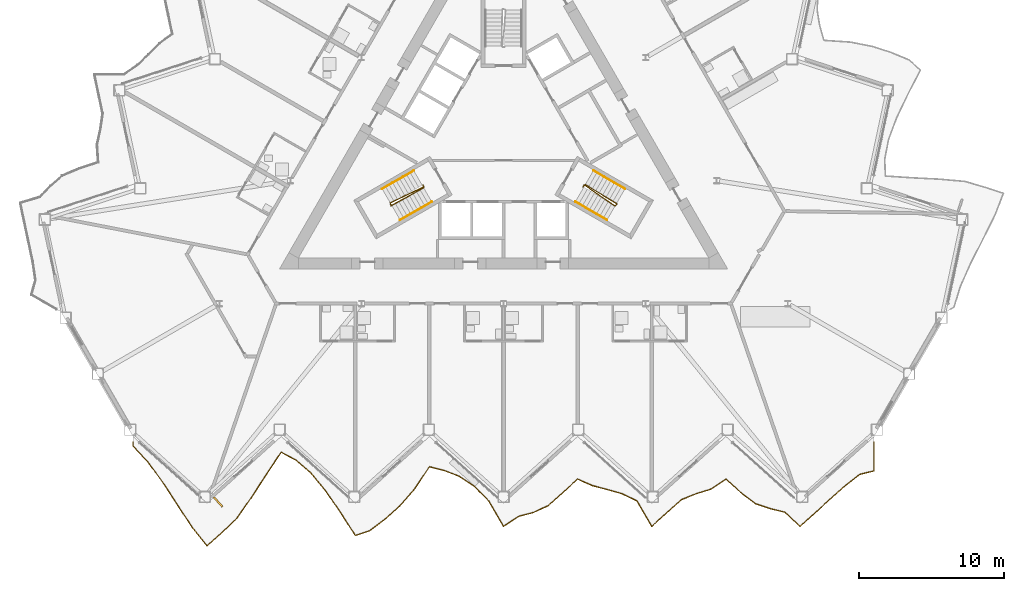
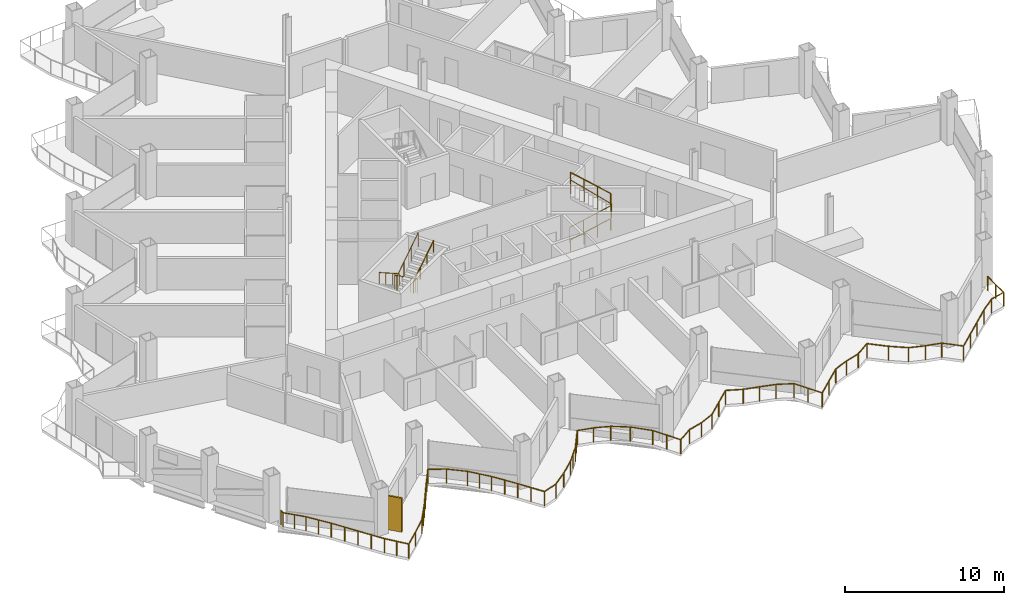
# One storey, part 19 of 23: 7 railings, 1 shading device.
"""IFC4 building model written with IfcOpenShell, lengths in metres."""

from ifc_helpers import new_model, si_unit, direction, frame, origin, origin_2d, place, context, subcontext, project, spatial, rectangle, circle, extrude, material, layer, layer_set, type_object, element, save


model = new_model("IFC4")

# Units and contexts
model_context = context("Model", 3, precision=1e-05, world=origin(), true_north=direction((0.0, 1.0)))
body_context = subcontext(model_context, "Body", "Model", "MODEL_VIEW")
ifc_project = project(units=[si_unit("LENGTHUNIT", "METRE"), si_unit("AREAUNIT", "SQUARE_METRE"), si_unit("VOLUMEUNIT", "CUBIC_METRE"), si_unit("PLANEANGLEUNIT", "RADIAN"), si_unit("MASSUNIT", "GRAM", prefix="KILO")], contexts=[model_context])

# Site, building, storey
site_placement = place(None, origin())
site = spatial("IfcSite", under=ifc_project, at=site_placement, CompositionType="ELEMENT")
building_placement = place(site_placement, origin())
building = spatial("IfcBuilding", under=site, at=building_placement, Name="Cormorant Prow Tower", CompositionType="ELEMENT")
storey_placement = place(building_placement, frame((0.0, 0.0, 180.0)))
storey = spatial("IfcBuildingStorey", under=building, at=storey_placement, Name="L38", CompositionType="ELEMENT", Elevation=180.0)

# Railings
ifc_material_1 = material(Name="Aluminium 6063-T6", Category="aluminium")
railing_type_1 = type_object("IfcRailingType", Name="Balcony guard 1100", PredefinedType="GUARDRAIL", material=ifc_material_1)
railing_1_placement = place(storey_placement, frame((-25.635498046875, -20.921630859375, 0.0)))
element("IfcRailing", 1, at=railing_1_placement, inside=storey, type_object=railing_type_1, Name="Balcony guard S", PredefinedType="GUARDRAIL", context=body_context, shape_type="SweptSolid", body=[
    extrude(circle(Radius=0.02392578125, at=origin_2d()), frame((0.0, 0.0, 1.076171875), z_axis=(0.0, -1.0, 0.0), x_axis=(1.0, 0.0, 0.0)), (0.0, 0.0, 1.0), 0.27001953125),
    extrude(circle(Radius=0.02392578125, at=origin_2d()), frame((0.0, -0.27001953125, 1.076171875), z_axis=(0.681103942477, -0.732186738163, 0.0), x_axis=(0.732186738163, 0.681103942477, 0.0)), (0.0, 0.0, 1.0), 1.50537109375),
    extrude(circle(Radius=0.02392578125, at=origin_2d()), frame((1.025390625, -1.372314453125, 1.076171875), z_axis=(0.588371589744, -0.808590670477, 0.0), x_axis=(0.808590670477, 0.588371589744, 0.0)), (0.0, 0.0, 1.0), 1.74267578125),
    extrude(circle(Radius=0.02392578125, at=origin_2d()), frame((2.05078125, -2.781494140625, 1.076171875), z_axis=(0.545138894856, -0.838345743304, 0.0), x_axis=(0.838345743304, 0.545138894856, 0.0)), (0.0, 0.0, 1.0), 1.880859375),
    extrude(circle(Radius=0.02392578125, at=origin_2d()), frame((3.076171875, -4.3583984375, 1.076171875), z_axis=(0.549977203076, -0.835179666956, 0.0), x_axis=(0.835179666956, 0.549977203076, 0.0)), (0.0, 0.0, 1.0), 1.864501953125),
    extrude(circle(Radius=0.02392578125, at=origin_2d()), frame((4.1015625, -5.91552734375, 1.076171875), z_axis=(0.627898546351, -0.778295198167, 0.0), x_axis=(0.778295198167, 0.627898546351, 0.0)), (0.0, 0.0, 1.0), 1.633056640625),
    extrude(circle(Radius=0.02392578125, at=origin_2d()), frame((5.126953125, -7.1865234375, 1.076171875), z_axis=(0.743197375743, 0.669072238767, 0.0), x_axis=(-0.669072238767, 0.743197375743, 0.0)), (0.0, 0.0, 1.0), 1.380126953125),
    extrude(circle(Radius=0.02392578125, at=origin_2d()), frame((6.152587890625, -6.26318359375, 1.076171875), z_axis=(0.723191339714, 0.690647729427, 0.0), x_axis=(-0.690647729427, 0.723191339714, 0.0)), (0.0, 0.0, 1.0), 1.41796875),
    extrude(circle(Radius=0.02392578125, at=origin_2d()), frame((7.177978515625, -5.283935546875, 1.076171875), z_axis=(0.575649567976, 0.817696505367, 0.0), x_axis=(-0.817696505367, 0.575649567976, 0.0)), (0.0, 0.0, 1.0), 1.78125),
    extrude(circle(Radius=0.02392578125, at=origin_2d()), frame((8.203369140625, -3.827392578125, 1.076171875), z_axis=(0.542303318484, 0.840182784137, 0.0), x_axis=(-0.840182784137, 0.542303318484, 0.0)), (0.0, 0.0, 1.0), 1.890869140625),
    extrude(circle(Radius=0.02392578125, at=origin_2d()), frame((9.228759765625, -2.23876953125, 1.076171875), z_axis=(0.556778734736, 0.83066084568, 0.0), x_axis=(-0.83066084568, 0.556778734736, 0.0)), (0.0, 0.0, 1.0), 1.841552734375),
    extrude(circle(Radius=0.02392578125, at=origin_2d()), frame((10.254150390625, -0.708984375, 1.076171875), z_axis=(0.881654667777, -0.471895165039, 0.0), x_axis=(0.471895165039, 0.881654667777, 0.0)), (0.0, 0.0, 1.0), 1.1630859375),
    extrude(circle(Radius=0.02392578125, at=origin_2d()), frame((11.279541015625, -1.2578125, 1.076171875), z_axis=(0.75568908279, -0.654930538418, 0.0), x_axis=(0.654930538418, 0.75568908279, 0.0)), (0.0, 0.0, 1.0), 1.35693359375),
    extrude(circle(Radius=0.02392578125, at=origin_2d()), frame((12.304931640625, -2.146484375, 1.076171875), z_axis=(0.637791451053, -0.7702091047, 0.0), x_axis=(0.7702091047, 0.637791451053, 0.0)), (0.0, 0.0, 1.0), 1.607666015625),
    extrude(circle(Radius=0.02392578125, at=origin_2d()), frame((13.330322265625, -3.384765625, 1.076171875), z_axis=(0.565055142768, -0.825053141095, 0.0), x_axis=(0.825053141095, 0.565055142768, 0.0)), (0.0, 0.0, 1.0), 1.815185546875),
    extrude(circle(Radius=0.02392578125, at=origin_2d()), frame((14.35595703125, -4.88232421875, 1.076171875), z_axis=(0.541421983834, -0.840750994897, 0.0), x_axis=(0.840750994897, 0.541421983834, 0.0)), (0.0, 0.0, 1.0), 1.893798828125),
    extrude(circle(Radius=0.02392578125, at=origin_2d()), frame((15.38134765625, -6.474609375, 1.076171875), z_axis=(0.946084075397, 0.323921166767, 0.0), x_axis=(-0.323921166767, 0.946084075397, 0.0)), (0.0, 0.0, 1.0), 1.083740234375),
    extrude(circle(Radius=0.02392578125, at=origin_2d()), frame((16.40673828125, -6.12353515625, 1.076171875), z_axis=(0.794610159297, 0.607120000282, 0.0), x_axis=(-0.607120000282, 0.794610159297, 0.0)), (0.0, 0.0, 1.0), 1.29052734375),
    extrude(circle(Radius=0.02392578125, at=origin_2d()), frame((17.43212890625, -5.340087890625, 1.076171875), z_axis=(0.743118165169, 0.669160214445, 0.0), x_axis=(-0.669160214445, 0.743118165169, 0.0)), (0.0, 0.0, 1.0), 1.3798828125),
    extrude(circle(Radius=0.02392578125, at=origin_2d()), frame((18.45751953125, -4.416748046875, 1.076171875), z_axis=(0.659749250302, 0.751485812725, 0.0), x_axis=(-0.751485812725, 0.659749250302, 0.0)), (0.0, 0.0, 1.0), 1.55419921875),
    extrude(circle(Radius=0.02392578125, at=origin_2d()), frame((19.48291015625, -3.248779296875, 1.076171875), z_axis=(0.556288580138, 0.830989178996, 0.0), x_axis=(-0.830989178996, 0.556288580138, 0.0)), (0.0, 0.0, 1.0), 1.84326171875),
    extrude(circle(Radius=0.02392578125, at=origin_2d()), frame((20.50830078125, -1.717041015625, 1.076171875), z_axis=(0.969651629127, -0.244490732201, 0.0), x_axis=(0.244490732201, 0.969651629127, 0.0)), (0.0, 0.0, 1.0), 1.057373046875),
    extrude(circle(Radius=0.02392578125, at=origin_2d()), frame((21.53369140625, -1.9755859375, 1.076171875), z_axis=(0.933894668964, -0.357548244689, 0.0), x_axis=(0.357548244689, 0.933894668964, 0.0)), (0.0, 0.0, 1.0), 1.097900390625),
    extrude(circle(Radius=0.02392578125, at=origin_2d()), frame((22.55908203125, -2.3681640625, 1.076171875), z_axis=(0.834030278815, -0.551718672894, 0.0), x_axis=(0.551718672894, 0.834030278815, 0.0)), (0.0, 0.0, 1.0), 1.229736328125),
    extrude(circle(Radius=0.02392578125, at=origin_2d()), frame((23.584716796875, -3.046630859375, 1.076171875), z_axis=(0.703915232467, -0.710283989332, 0.0), x_axis=(0.710283989332, 0.703915232467, 0.0)), (0.0, 0.0, 1.0), 1.456787109375),
    extrude(circle(Radius=0.02392578125, at=origin_2d()), frame((24.610107421875, -4.081298828125, 1.076171875), z_axis=(0.504445929964, -0.863443283455, 0.0), x_axis=(0.863443283455, 0.504445929964, 0.0)), (0.0, 0.0, 1.0), 2.03271484375),
    extrude(circle(Radius=0.02392578125, at=origin_2d()), frame((25.635498046875, -5.83642578125, 1.076171875), z_axis=(0.831867421138, 0.554974408102, 0.0), x_axis=(-0.554974408102, 0.831867421138, 0.0)), (0.0, 0.0, 1.0), 1.232666015625),
    extrude(circle(Radius=0.02392578125, at=origin_2d()), frame((26.660888671875, -5.15234375, 1.076171875), z_axis=(0.966862485254, 0.255297737178, 0.0), x_axis=(-0.255297737178, 0.966862485254, 0.0)), (0.0, 0.0, 1.0), 1.060546875),
    extrude(circle(Radius=0.02392578125, at=origin_2d()), frame((27.686279296875, -4.881591796875, 1.076171875), z_axis=(0.910818857166, 0.412806261377, 0.0), x_axis=(-0.412806261377, 0.910818857166, 0.0)), (0.0, 0.0, 1.0), 1.1259765625),
    extrude(circle(Radius=0.02392578125, at=origin_2d()), frame((28.7119140625, -4.416748046875, 1.076171875), z_axis=(0.743118165169, 0.669160214445, 0.0), x_axis=(-0.669160214445, 0.743118165169, 0.0)), (0.0, 0.0, 1.0), 1.3798828125),
    extrude(circle(Radius=0.02392578125, at=origin_2d()), frame((29.7373046875, -3.493408203125, 1.076171875), z_axis=(0.743118165169, 0.669160214445, 0.0), x_axis=(-0.669160214445, 0.743118165169, 0.0)), (0.0, 0.0, 1.0), 1.3798828125),
    extrude(circle(Radius=0.02392578125, at=origin_2d()), frame((30.7626953125, -2.570068359375, 1.076171875), z_axis=(0.915154313981, -0.40310368592, 0.0), x_axis=(0.40310368592, 0.915154313981, 0.0)), (0.0, 0.0, 1.0), 1.120361328125),
    extrude(circle(Radius=0.02392578125, at=origin_2d()), frame((31.7880859375, -3.021728515625, 1.076171875), z_axis=(0.96725923768, -0.253790399982, 0.0), x_axis=(0.253790399982, 0.96725923768, 0.0)), (0.0, 0.0, 1.0), 1.06005859375),
    extrude(circle(Radius=0.02392578125, at=origin_2d()), frame((32.8134765625, -3.290771484375, 1.076171875), z_axis=(0.962126726315, -0.272602572456, 0.0), x_axis=(0.272602572456, 0.962126726315, 0.0)), (0.0, 0.0, 1.0), 1.065673828125),
    extrude(circle(Radius=0.02392578125, at=origin_2d()), frame((33.8388671875, -3.581298828125, 1.076171875), z_axis=(0.901020302819, -0.433776917214, 0.0), x_axis=(0.433776917214, 0.901020302819, 0.0)), (0.0, 0.0, 1.0), 1.137939453125),
    extrude(circle(Radius=0.02392578125, at=origin_2d()), frame((34.8642578125, -4.074951171875, 1.076171875), z_axis=(0.503088815692, -0.864234715529, 0.0), x_axis=(0.864234715529, 0.503088815692, 0.0)), (0.0, 0.0, 1.0), 2.0380859375),
    extrude(circle(Radius=0.02392578125, at=origin_2d()), frame((35.8896484375, -5.83642578125, 1.076171875), z_axis=(0.743206151718, 0.669062490392, 0.0), x_axis=(-0.669062490392, 0.743206151718, 0.0)), (0.0, 0.0, 1.0), 1.379638671875),
    extrude(circle(Radius=0.02392578125, at=origin_2d()), frame((36.9150390625, -4.913330078125, 1.076171875), z_axis=(0.743197375743, 0.669072238767, 0.0), x_axis=(-0.669072238767, 0.743197375743, 0.0)), (0.0, 0.0, 1.0), 1.380126953125),
    extrude(circle(Radius=0.02392578125, at=origin_2d()), frame((37.940673828125, -3.989990234375, 1.076171875), z_axis=(0.928095210869, 0.372342959599, 0.0), x_axis=(-0.372342959599, 0.928095210869, 0.0)), (0.0, 0.0, 1.0), 1.104736328125),
    extrude(circle(Radius=0.02392578125, at=origin_2d()), frame((38.966064453125, -3.57861328125, 1.076171875), z_axis=(0.955028616031, 0.296513646501, 0.0), x_axis=(-0.296513646501, 0.955028616031, 0.0)), (0.0, 0.0, 1.0), 1.07373046875),
    extrude(circle(Radius=0.02392578125, at=origin_2d()), frame((39.991455078125, -3.26025390625, 1.076171875), z_axis=(0.829580709455, 0.55838682515, 0.0), x_axis=(-0.55838682515, 0.829580709455, 0.0)), (0.0, 0.0, 1.0), 1.236083984375),
    extrude(circle(Radius=0.02392578125, at=origin_2d()), frame((41.016845703125, -2.570068359375, 1.076171875), z_axis=(0.743118165169, -0.669160214445, 0.0), x_axis=(0.669160214445, 0.743118165169, 0.0)), (0.0, 0.0, 1.0), 1.3798828125),
    extrude(circle(Radius=0.02392578125, at=origin_2d()), frame((42.042236328125, -3.493408203125, 1.076171875), z_axis=(0.798446059556, -0.602066350147, 0.0), x_axis=(0.602066350147, 0.798446059556, 0.0)), (0.0, 0.0, 1.0), 1.2841796875),
    extrude(circle(Radius=0.02392578125, at=origin_2d()), frame((43.067626953125, -4.2666015625, 1.076171875), z_axis=(0.947252842265, -0.320487211633, 0.0), x_axis=(0.320487211633, 0.947252842265, 0.0)), (0.0, 0.0, 1.0), 1.08251953125),
    extrude(circle(Radius=0.02392578125, at=origin_2d()), frame((44.093017578125, -4.613525390625, 1.076171875), z_axis=(0.970629918365, -0.240577558337, 0.0), x_axis=(0.240577558337, 0.970629918365, 0.0)), (0.0, 0.0, 1.0), 1.056396484375),
    extrude(circle(Radius=0.02392578125, at=origin_2d()), frame((45.118408203125, -4.86767578125, 1.076171875), z_axis=(0.726979558122, -0.686659101792, 0.0), x_axis=(0.686659101792, 0.726979558122, 0.0)), (0.0, 0.0, 1.0), 1.410888671875),
    extrude(circle(Radius=0.02392578125, at=origin_2d()), frame((46.14404296875, -5.83642578125, 1.076171875), z_axis=(0.743206151718, 0.669062490392, 0.0), x_axis=(-0.669062490392, 0.743206151718, 0.0)), (0.0, 0.0, 1.0), 1.379638671875),
    extrude(circle(Radius=0.02392578125, at=origin_2d()), frame((47.16943359375, -4.913330078125, 1.076171875), z_axis=(0.743118165169, 0.669160214445, 0.0), x_axis=(-0.669160214445, 0.743118165169, 0.0)), (0.0, 0.0, 1.0), 1.3798828125),
    extrude(circle(Radius=0.02392578125, at=origin_2d()), frame((48.19482421875, -3.989990234375, 1.076171875), z_axis=(0.743118165169, 0.669160214445, 0.0), x_axis=(-0.669160214445, 0.743118165169, 0.0)), (0.0, 0.0, 1.0), 1.3798828125),
    extrude(circle(Radius=0.02392578125, at=origin_2d()), frame((49.22021484375, -3.066650390625, 1.076171875), z_axis=(0.78359163576, 0.621276225496, 0.0), x_axis=(-0.621276225496, 0.78359163576, 0.0)), (0.0, 0.0, 1.0), 1.30859375),
    extrude(circle(Radius=0.02392578125, at=origin_2d()), frame((50.24560546875, -2.253662109375, 1.076171875), z_axis=(0.969596875513, 0.244707782868, 0.0), x_axis=(-0.244707782868, 0.969596875513, 0.0)), (0.0, 0.0, 1.0), 1.0576171875),
    extrude(circle(Radius=0.02392578125, at=origin_2d()), frame((51.27099609375, -1.994873046875, 1.076171875), z_axis=(0.0, 1.0, 0.0), x_axis=(-1.0, 0.0, 0.0)), (0.0, 0.0, 1.0), 1.994873046875),
    extrude(circle(Radius=0.02099609375, at=origin_2d()), origin(), (0.0, 0.0, 1.0), 1.052001953125),
    extrude(circle(Radius=0.02099609375, at=origin_2d()), frame((0.0, -0.27001953125, 0.0)), (0.0, 0.0, 1.0), 1.052001953125),
    extrude(circle(Radius=0.02099609375, at=origin_2d()), frame((0.5126953125, -0.8212890625, 0.0)), (0.0, 0.0, 1.0), 1.052001953125),
    extrude(circle(Radius=0.02099609375, at=origin_2d()), frame((1.025390625, -1.372314453125, 0.0)), (0.0, 0.0, 1.0), 1.052001953125),
    extrude(circle(Radius=0.02099609375, at=origin_2d()), frame((1.5380859375, -2.076904296875, 0.0)), (0.0, 0.0, 1.0), 1.052001953125),
    extrude(circle(Radius=0.02099609375, at=origin_2d()), frame((2.05078125, -2.781494140625, 0.0)), (0.0, 0.0, 1.0), 1.052001953125),
    extrude(circle(Radius=0.02099609375, at=origin_2d()), frame((2.5634765625, -3.56982421875, 0.0)), (0.0, 0.0, 1.0), 1.052001953125),
    extrude(circle(Radius=0.02099609375, at=origin_2d()), frame((3.076171875, -4.3583984375, 0.0)), (0.0, 0.0, 1.0), 1.052001953125),
    extrude(circle(Radius=0.02099609375, at=origin_2d()), frame((3.5888671875, -5.136962890625, 0.0)), (0.0, 0.0, 1.0), 1.052001953125),
    extrude(circle(Radius=0.02099609375, at=origin_2d()), frame((4.1015625, -5.91552734375, 0.0)), (0.0, 0.0, 1.0), 1.052001953125),
    extrude(circle(Radius=0.02099609375, at=origin_2d()), frame((4.6142578125, -6.551025390625, 0.0)), (0.0, 0.0, 1.0), 1.052001953125),
    extrude(circle(Radius=0.02099609375, at=origin_2d()), frame((5.126953125, -7.1865234375, 0.0)), (0.0, 0.0, 1.0), 1.052001953125),
    extrude(circle(Radius=0.02099609375, at=origin_2d()), frame((6.152587890625, -6.26318359375, 0.0)), (0.0, 0.0, 1.0), 1.052001953125),
    extrude(circle(Radius=0.02099609375, at=origin_2d()), frame((7.177978515625, -5.283935546875, 0.0)), (0.0, 0.0, 1.0), 1.052001953125),
    extrude(circle(Radius=0.02099609375, at=origin_2d()), frame((7.690673828125, -4.5556640625, 0.0)), (0.0, 0.0, 1.0), 1.052001953125),
    extrude(circle(Radius=0.02099609375, at=origin_2d()), frame((8.203369140625, -3.827392578125, 0.0)), (0.0, 0.0, 1.0), 1.052001953125),
    extrude(circle(Radius=0.02099609375, at=origin_2d()), frame((8.716064453125, -3.033203125, 0.0)), (0.0, 0.0, 1.0), 1.052001953125),
    extrude(circle(Radius=0.02099609375, at=origin_2d()), frame((9.228759765625, -2.23876953125, 0.0)), (0.0, 0.0, 1.0), 1.052001953125),
    extrude(circle(Radius=0.02099609375, at=origin_2d()), frame((9.741455078125, -1.473876953125, 0.0)), (0.0, 0.0, 1.0), 1.052001953125),
    extrude(circle(Radius=0.02099609375, at=origin_2d()), frame((10.254150390625, -0.708984375, 0.0)), (0.0, 0.0, 1.0), 1.052001953125),
    extrude(circle(Radius=0.02099609375, at=origin_2d()), frame((11.279541015625, -1.2578125, 0.0)), (0.0, 0.0, 1.0), 1.052001953125),
    extrude(circle(Radius=0.02099609375, at=origin_2d()), frame((12.304931640625, -2.146484375, 0.0)), (0.0, 0.0, 1.0), 1.052001953125),
    extrude(circle(Radius=0.02099609375, at=origin_2d()), frame((12.817626953125, -2.765625, 0.0)), (0.0, 0.0, 1.0), 1.052001953125),
    extrude(circle(Radius=0.02099609375, at=origin_2d()), frame((13.330322265625, -3.384765625, 0.0)), (0.0, 0.0, 1.0), 1.052001953125),
    extrude(circle(Radius=0.02099609375, at=origin_2d()), frame((13.84326171875, -4.133544921875, 0.0)), (0.0, 0.0, 1.0), 1.052001953125),
    extrude(circle(Radius=0.02099609375, at=origin_2d()), frame((14.35595703125, -4.88232421875, 0.0)), (0.0, 0.0, 1.0), 1.052001953125),
    extrude(circle(Radius=0.02099609375, at=origin_2d()), frame((14.86865234375, -5.678466796875, 0.0)), (0.0, 0.0, 1.0), 1.052001953125),
    extrude(circle(Radius=0.02099609375, at=origin_2d()), frame((15.38134765625, -6.474609375, 0.0)), (0.0, 0.0, 1.0), 1.052001953125),
    extrude(circle(Radius=0.02099609375, at=origin_2d()), frame((16.40673828125, -6.12353515625, 0.0)), (0.0, 0.0, 1.0), 1.052001953125),
    extrude(circle(Radius=0.02099609375, at=origin_2d()), frame((17.43212890625, -5.340087890625, 0.0)), (0.0, 0.0, 1.0), 1.052001953125),
    extrude(circle(Radius=0.02099609375, at=origin_2d()), frame((18.45751953125, -4.416748046875, 0.0)), (0.0, 0.0, 1.0), 1.052001953125),
    extrude(circle(Radius=0.02099609375, at=origin_2d()), frame((18.97021484375, -3.832763671875, 0.0)), (0.0, 0.0, 1.0), 1.052001953125),
    extrude(circle(Radius=0.02099609375, at=origin_2d()), frame((19.48291015625, -3.248779296875, 0.0)), (0.0, 0.0, 1.0), 1.052001953125),
    extrude(circle(Radius=0.02099609375, at=origin_2d()), frame((19.99560546875, -2.48291015625, 0.0)), (0.0, 0.0, 1.0), 1.052001953125),
    extrude(circle(Radius=0.02099609375, at=origin_2d()), frame((20.50830078125, -1.717041015625, 0.0)), (0.0, 0.0, 1.0), 1.052001953125),
    extrude(circle(Radius=0.02099609375, at=origin_2d()), frame((21.53369140625, -1.9755859375, 0.0)), (0.0, 0.0, 1.0), 1.052001953125),
    extrude(circle(Radius=0.02099609375, at=origin_2d()), frame((22.55908203125, -2.3681640625, 0.0)), (0.0, 0.0, 1.0), 1.052001953125),
    extrude(circle(Radius=0.02099609375, at=origin_2d()), frame((23.584716796875, -3.046630859375, 0.0)), (0.0, 0.0, 1.0), 1.052001953125),
    extrude(circle(Radius=0.02099609375, at=origin_2d()), frame((24.610107421875, -4.081298828125, 0.0)), (0.0, 0.0, 1.0), 1.052001953125),
    extrude(circle(Radius=0.02099609375, at=origin_2d()), frame((25.122802734375, -4.958984375, 0.0)), (0.0, 0.0, 1.0), 1.052001953125),
    extrude(circle(Radius=0.02099609375, at=origin_2d()), frame((25.635498046875, -5.83642578125, 0.0)), (0.0, 0.0, 1.0), 1.052001953125),
    extrude(circle(Radius=0.02099609375, at=origin_2d()), frame((26.660888671875, -5.15234375, 0.0)), (0.0, 0.0, 1.0), 1.052001953125),
    extrude(circle(Radius=0.02099609375, at=origin_2d()), frame((27.686279296875, -4.881591796875, 0.0)), (0.0, 0.0, 1.0), 1.052001953125),
    extrude(circle(Radius=0.02099609375, at=origin_2d()), frame((28.7119140625, -4.416748046875, 0.0)), (0.0, 0.0, 1.0), 1.052001953125),
    extrude(circle(Radius=0.02099609375, at=origin_2d()), frame((29.7373046875, -3.493408203125, 0.0)), (0.0, 0.0, 1.0), 1.052001953125),
    extrude(circle(Radius=0.02099609375, at=origin_2d()), frame((30.7626953125, -2.570068359375, 0.0)), (0.0, 0.0, 1.0), 1.052001953125),
    extrude(circle(Radius=0.02099609375, at=origin_2d()), frame((31.7880859375, -3.021728515625, 0.0)), (0.0, 0.0, 1.0), 1.052001953125),
    extrude(circle(Radius=0.02099609375, at=origin_2d()), frame((32.8134765625, -3.290771484375, 0.0)), (0.0, 0.0, 1.0), 1.052001953125),
    extrude(circle(Radius=0.02099609375, at=origin_2d()), frame((33.8388671875, -3.581298828125, 0.0)), (0.0, 0.0, 1.0), 1.052001953125),
    extrude(circle(Radius=0.02099609375, at=origin_2d()), frame((34.8642578125, -4.074951171875, 0.0)), (0.0, 0.0, 1.0), 1.052001953125),
    extrude(circle(Radius=0.02099609375, at=origin_2d()), frame((35.376953125, -4.95556640625, 0.0)), (0.0, 0.0, 1.0), 1.052001953125),
    extrude(circle(Radius=0.02099609375, at=origin_2d()), frame((35.8896484375, -5.83642578125, 0.0)), (0.0, 0.0, 1.0), 1.052001953125),
    extrude(circle(Radius=0.02099609375, at=origin_2d()), frame((36.9150390625, -4.913330078125, 0.0)), (0.0, 0.0, 1.0), 1.052001953125),
    extrude(circle(Radius=0.02099609375, at=origin_2d()), frame((37.940673828125, -3.989990234375, 0.0)), (0.0, 0.0, 1.0), 1.052001953125),
    extrude(circle(Radius=0.02099609375, at=origin_2d()), frame((38.966064453125, -3.57861328125, 0.0)), (0.0, 0.0, 1.0), 1.052001953125),
    extrude(circle(Radius=0.02099609375, at=origin_2d()), frame((39.991455078125, -3.26025390625, 0.0)), (0.0, 0.0, 1.0), 1.052001953125),
    extrude(circle(Radius=0.02099609375, at=origin_2d()), frame((41.016845703125, -2.570068359375, 0.0)), (0.0, 0.0, 1.0), 1.052001953125),
    extrude(circle(Radius=0.02099609375, at=origin_2d()), frame((42.042236328125, -3.493408203125, 0.0)), (0.0, 0.0, 1.0), 1.052001953125),
    extrude(circle(Radius=0.02099609375, at=origin_2d()), frame((43.067626953125, -4.2666015625, 0.0)), (0.0, 0.0, 1.0), 1.052001953125),
    extrude(circle(Radius=0.02099609375, at=origin_2d()), frame((44.093017578125, -4.613525390625, 0.0)), (0.0, 0.0, 1.0), 1.052001953125),
    extrude(circle(Radius=0.02099609375, at=origin_2d()), frame((45.118408203125, -4.86767578125, 0.0)), (0.0, 0.0, 1.0), 1.052001953125),
    extrude(circle(Radius=0.02099609375, at=origin_2d()), frame((46.14404296875, -5.83642578125, 0.0)), (0.0, 0.0, 1.0), 1.052001953125),
    extrude(circle(Radius=0.02099609375, at=origin_2d()), frame((47.16943359375, -4.913330078125, 0.0)), (0.0, 0.0, 1.0), 1.052001953125),
    extrude(circle(Radius=0.02099609375, at=origin_2d()), frame((48.19482421875, -3.989990234375, 0.0)), (0.0, 0.0, 1.0), 1.052001953125),
    extrude(circle(Radius=0.02099609375, at=origin_2d()), frame((49.22021484375, -3.066650390625, 0.0)), (0.0, 0.0, 1.0), 1.052001953125),
    extrude(circle(Radius=0.02099609375, at=origin_2d()), frame((50.24560546875, -2.253662109375, 0.0)), (0.0, 0.0, 1.0), 1.052001953125),
    extrude(circle(Radius=0.02099609375, at=origin_2d()), frame((51.27099609375, -1.994873046875, 0.0)), (0.0, 0.0, 1.0), 1.052001953125),
    extrude(circle(Radius=0.02099609375, at=origin_2d()), frame((51.27099609375, -0.99755859375, 0.0)), (0.0, 0.0, 1.0), 1.052001953125),
    extrude(circle(Radius=0.02099609375, at=origin_2d()), frame((51.27099609375, 0.0, 0.0)), (0.0, 0.0, 1.0), 1.052001953125),
])
ifc_material_2 = material(Name="Stainless steel", Category="steel")
railing_type_2 = type_object("IfcRailingType", Name="Stair guard 1100", PredefinedType="GUARDRAIL", material=ifc_material_2)
railing_2_placement = place(storey_placement, frame((-5.585205078125, -3.137939453125, 0.0)))
element("IfcRailing", 2, at=railing_2_placement, inside=storey, type_object=railing_type_2, Name="L38 ST1 stair guard 1", PredefinedType="GUARDRAIL", context=body_context, shape_type="SweptSolid", body=[
    extrude(circle(Radius=0.02392578125, at=origin_2d()), frame((0.0, 0.0, 1.076171875), z_axis=(0.501036270542, -0.865426285481, 0.0), x_axis=(0.865426285481, 0.501036270542, 0.0)), (0.0, 0.0, 1.0), 0.150146484375),
    extrude(circle(Radius=0.02392578125, at=origin_2d()), frame((0.0751953125, -0.1298828125, 1.076171875), z_axis=(-0.739707038506, -0.353624380995, 0.572523619033), x_axis=(0.431308035802, -0.902204731895, 0.0)), (0.0, 0.0, 1.0), 3.14404296875),
    extrude(circle(Radius=0.02392578125, at=origin_2d()), frame((-2.25048828125, -1.24169921875, 2.8759765625), z_axis=(0.274721127897, -0.961523947641, 0.0), x_axis=(0.961523947641, 0.274721127897, 0.0)), (0.0, 0.0, 1.0), 0.2060546875),
    extrude(circle(Radius=0.02392578125, at=origin_2d()), frame((-2.19384765625, -1.43994140625, 2.8759765625), z_axis=(0.717223475266, 0.39568267656, 0.573607623727), x_axis=(-0.483052234887, 0.87559153626, 0.0)), (0.0, 0.0, 1.0), 3.13818359375),
    extrude(circle(Radius=0.02099609375, at=origin_2d()), origin(), (0.0, 0.0, 1.0), 1.052001953125),
    extrude(circle(Radius=0.02099609375, at=origin_2d()), frame((0.0751953125, -0.1298828125, 0.0)), (0.0, 0.0, 1.0), 1.052001953125),
    extrude(circle(Radius=0.02099609375, at=origin_2d()), frame((-0.699951171875, -0.50048828125, 0.60009765625)), (0.0, 0.0, 1.0), 1.052001953125),
    extrude(circle(Radius=0.02099609375, at=origin_2d()), frame((-1.475341796875, -0.87109375, 1.199951171875)), (0.0, 0.0, 1.0), 1.052001953125),
    extrude(circle(Radius=0.02099609375, at=origin_2d()), frame((-2.25048828125, -1.24169921875, 1.800048828125)), (0.0, 0.0, 1.0), 1.052001953125),
    extrude(circle(Radius=0.02099609375, at=origin_2d()), frame((-2.19384765625, -1.43994140625, 1.800048828125)), (0.0, 0.0, 1.0), 1.052001953125),
    extrude(circle(Radius=0.02099609375, at=origin_2d()), frame((-1.443603515625, -1.026123046875, 2.400146484375)), (0.0, 0.0, 1.0), 1.052001953125),
    extrude(circle(Radius=0.02099609375, at=origin_2d()), frame((-0.693359375, -0.612060546875, 3.0)), (0.0, 0.0, 1.0), 1.052001953125),
    extrude(circle(Radius=0.02099609375, at=origin_2d()), frame((0.056884765625, -0.1982421875, 3.60009765625)), (0.0, 0.0, 1.0), 1.052001953125),
])
railing_3_placement = place(storey_placement, frame((5.510009765625, -3.267822265625, 0.0)))
element("IfcRailing", 3, at=railing_3_placement, inside=storey, type_object=railing_type_2, Name="L38 ST2 stair guard 1", PredefinedType="GUARDRAIL", context=body_context, shape_type="SweptSolid", body=[
    extrude(circle(Radius=0.02392578125, at=origin_2d()), frame((0.0, 0.0, 1.076171875), z_axis=(0.501036270542, 0.865426285481, 0.0), x_axis=(-0.865426285481, 0.501036270542, 0.0)), (0.0, 0.0, 1.0), 0.150146484375),
    extrude(circle(Radius=0.02392578125, at=origin_2d()), frame((0.0751953125, 0.1298828125, 1.076171875), z_axis=(0.676058237057, -0.463829066155, 0.572545070276), x_axis=(0.565732651216, 0.824588726183, 0.0)), (0.0, 0.0, 1.0), 3.14404296875),
    extrude(circle(Radius=0.02392578125, at=origin_2d()), frame((2.20068359375, -1.328369140625, 2.8759765625), z_axis=(0.695164929852, 0.718850276695, 0.0), x_axis=(-0.718850276695, 0.695164929852, 0.0)), (0.0, 0.0, 1.0), 0.2060546875),
    extrude(circle(Radius=0.02392578125, at=origin_2d()), frame((2.343994140625, -1.18017578125, 2.8759765625), z_axis=(-0.70127624584, 0.423301980654, 0.573608804147), x_axis=(-0.516770599887, -0.856123908726, 0.0)), (0.0, 0.0, 1.0), 3.13818359375),
    extrude(circle(Radius=0.02099609375, at=origin_2d()), origin(), (0.0, 0.0, 1.0), 1.052001953125),
    extrude(circle(Radius=0.02099609375, at=origin_2d()), frame((0.0751953125, 0.1298828125, 0.0)), (0.0, 0.0, 1.0), 1.052001953125),
    extrude(circle(Radius=0.02099609375, at=origin_2d()), frame((0.78369140625, -0.356201171875, 0.60009765625)), (0.0, 0.0, 1.0), 1.052001953125),
    extrude(circle(Radius=0.02099609375, at=origin_2d()), frame((1.4921875, -0.84228515625, 1.199951171875)), (0.0, 0.0, 1.0), 1.052001953125),
    extrude(circle(Radius=0.02099609375, at=origin_2d()), frame((2.20068359375, -1.328369140625, 1.800048828125)), (0.0, 0.0, 1.0), 1.052001953125),
    extrude(circle(Radius=0.02099609375, at=origin_2d()), frame((2.343994140625, -1.18017578125, 1.800048828125)), (0.0, 0.0, 1.0), 1.052001953125),
    extrude(circle(Radius=0.02099609375, at=origin_2d()), frame((1.6103515625, -0.7373046875, 2.400146484375)), (0.0, 0.0, 1.0), 1.052001953125),
    extrude(circle(Radius=0.02099609375, at=origin_2d()), frame((0.876953125, -0.294677734375, 3.0)), (0.0, 0.0, 1.0), 1.052001953125),
    extrude(circle(Radius=0.02099609375, at=origin_2d()), frame((0.143310546875, 0.148193359375, 3.60009765625)), (0.0, 0.0, 1.0), 1.052001953125),
])
ifc_material_3 = material(Name="Stainless steel", Category="steel")
railing_type_3 = type_object("IfcRailingType", Name="Stair handrail 900", PredefinedType="HANDRAIL", material=ifc_material_3)
railing_4_placement = place(storey_placement, frame((-6.212890625, -2.150634765625, 0.179931640625)))
element("IfcRailing", 4, at=railing_4_placement, inside=storey, type_object=railing_type_3, Name="L38 ST1 stair handrail 1", PredefinedType="HANDRAIL", context=body_context, shape_type="SweptSolid", body=[
    extrude(circle(Radius=0.02392578125, at=origin_2d()), frame((0.0, 0.0, 0.8759765625), z_axis=(-0.728463801763, -0.420584145978, 0.540785970299), x_axis=(0.500004791531, -0.866022637375, 0.0)), (0.0, 0.0, 1.0), 2.995849609375),
    extrude(circle(Radius=0.02099609375, at=origin_2d()), origin(), (0.0, 0.0, 1.0), 0.851806640625),
    extrude(circle(Radius=0.02099609375, at=origin_2d()), frame((-0.7275390625, -0.419921875, 0.5400390625)), (0.0, 0.0, 1.0), 0.851806640625),
    extrude(circle(Radius=0.02099609375, at=origin_2d()), frame((-1.454833984375, -0.840087890625, 1.080078125)), (0.0, 0.0, 1.0), 0.851806640625),
    extrude(circle(Radius=0.02099609375, at=origin_2d()), frame((-2.182373046875, -1.260009765625, 1.6201171875)), (0.0, 0.0, 1.0), 0.851806640625),
])
railing_5_placement = place(storey_placement, frame((-7.1513671875, -5.565185546875, 1.97998046875)))
element("IfcRailing", 5, at=railing_5_placement, inside=storey, type_object=railing_type_3, Name="L38 ST1 stair handrail 2", PredefinedType="HANDRAIL", context=body_context, shape_type="SweptSolid", body=[
    extrude(circle(Radius=0.02392578125, at=origin_2d()), frame((0.0, 0.0, 0.8759765625), z_axis=(0.728463801763, 0.420584145978, 0.540785970299), x_axis=(-0.500004791531, 0.866022637375, 0.0)), (0.0, 0.0, 1.0), 2.995849609375),
    extrude(circle(Radius=0.02099609375, at=origin_2d()), origin(), (0.0, 0.0, 1.0), 0.851806640625),
    extrude(circle(Radius=0.02099609375, at=origin_2d()), frame((0.7275390625, 0.419921875, 0.5400390625)), (0.0, 0.0, 1.0), 0.851806640625),
    extrude(circle(Radius=0.02099609375, at=origin_2d()), frame((1.454833984375, 0.840087890625, 1.080078125)), (0.0, 0.0, 1.0), 0.851806640625),
    extrude(circle(Radius=0.02099609375, at=origin_2d()), frame((2.182373046875, 1.260009765625, 1.6201171875)), (0.0, 0.0, 1.0), 0.851806640625),
])
railing_6_placement = place(storey_placement, frame((4.968994140625, -4.30517578125, 0.179931640625)))
element("IfcRailing", 6, at=railing_6_placement, inside=storey, type_object=railing_type_3, Name="L38 ST2 stair handrail 1", PredefinedType="HANDRAIL", context=body_context, shape_type="SweptSolid", body=[
    extrude(circle(Radius=0.02392578125, at=origin_2d()), frame((0.0, 0.0, 0.8759765625), z_axis=(0.728463801763, -0.420584145978, 0.540785970299), x_axis=(0.500004791531, 0.866022637375, 0.0)), (0.0, 0.0, 1.0), 2.995849609375),
    extrude(circle(Radius=0.02099609375, at=origin_2d()), origin(), (0.0, 0.0, 1.0), 0.851806640625),
    extrude(circle(Radius=0.02099609375, at=origin_2d()), frame((0.7275390625, -0.419921875, 0.5400390625)), (0.0, 0.0, 1.0), 0.851806640625),
    extrude(circle(Radius=0.02099609375, at=origin_2d()), frame((1.454833984375, -0.840087890625, 1.080078125)), (0.0, 0.0, 1.0), 0.851806640625),
    extrude(circle(Radius=0.02099609375, at=origin_2d()), frame((2.182373046875, -1.260009765625, 1.6201171875)), (0.0, 0.0, 1.0), 0.851806640625),
])
railing_7_placement = place(storey_placement, frame((8.395263671875, -3.41064453125, 1.97998046875)))
element("IfcRailing", 7, at=railing_7_placement, inside=storey, type_object=railing_type_3, Name="L38 ST2 stair handrail 2", PredefinedType="HANDRAIL", context=body_context, shape_type="SweptSolid", body=[
    extrude(circle(Radius=0.02392578125, at=origin_2d()), frame((0.0, 0.0, 0.8759765625), z_axis=(-0.728463801763, 0.420584145978, 0.540785970299), x_axis=(-0.500004791531, -0.866022637375, 0.0)), (0.0, 0.0, 1.0), 2.995849609375),
    extrude(circle(Radius=0.02099609375, at=origin_2d()), origin(), (0.0, 0.0, 1.0), 0.851806640625),
    extrude(circle(Radius=0.02099609375, at=origin_2d()), frame((-0.7275390625, 0.419921875, 0.5400390625)), (0.0, 0.0, 1.0), 0.851806640625),
    extrude(circle(Radius=0.02099609375, at=origin_2d()), frame((-1.454833984375, 0.840087890625, 1.080078125)), (0.0, 0.0, 1.0), 0.851806640625),
    extrude(circle(Radius=0.02099609375, at=origin_2d()), frame((-2.182373046875, 1.260009765625, 1.6201171875)), (0.0, 0.0, 1.0), 0.851806640625),
])

# Shading device
ifc_material_4 = material(Name="Terracotta", Category="masonry")
ifc_layer = layer(ifc_material_4, 0.1201171875)
ifc_layer_set = layer_set([ifc_layer], Name="Terracotta")
shading_device_type = type_object("IfcShadingDeviceType", Name="Terracotta baguette fin 120x900x2600", PredefinedType="USERDEFINED", material=ifc_layer_set)
shading_device_placement = place(storey_placement, frame((-19.74072265625, -25.072265625, 0.0), z_axis=(0.0, 0.0, 1.0), x_axis=(0.743144845716, 0.669130583881, 0.0)))
element("IfcShadingDevice", 8, at=shading_device_placement, inside=storey, type_object=shading_device_type, Name="Baguette fin S01", ObjectType="BAGUETTE", PredefinedType="USERDEFINED", context=body_context, shape_type="SweptSolid", body=[
    extrude(rectangle(XDim=0.1201171875, YDim=0.89990234375, at=origin_2d()), origin(), (0.0, 0.0, 1.0), 2.60009765625),
])

save(model, "model.ifc")
